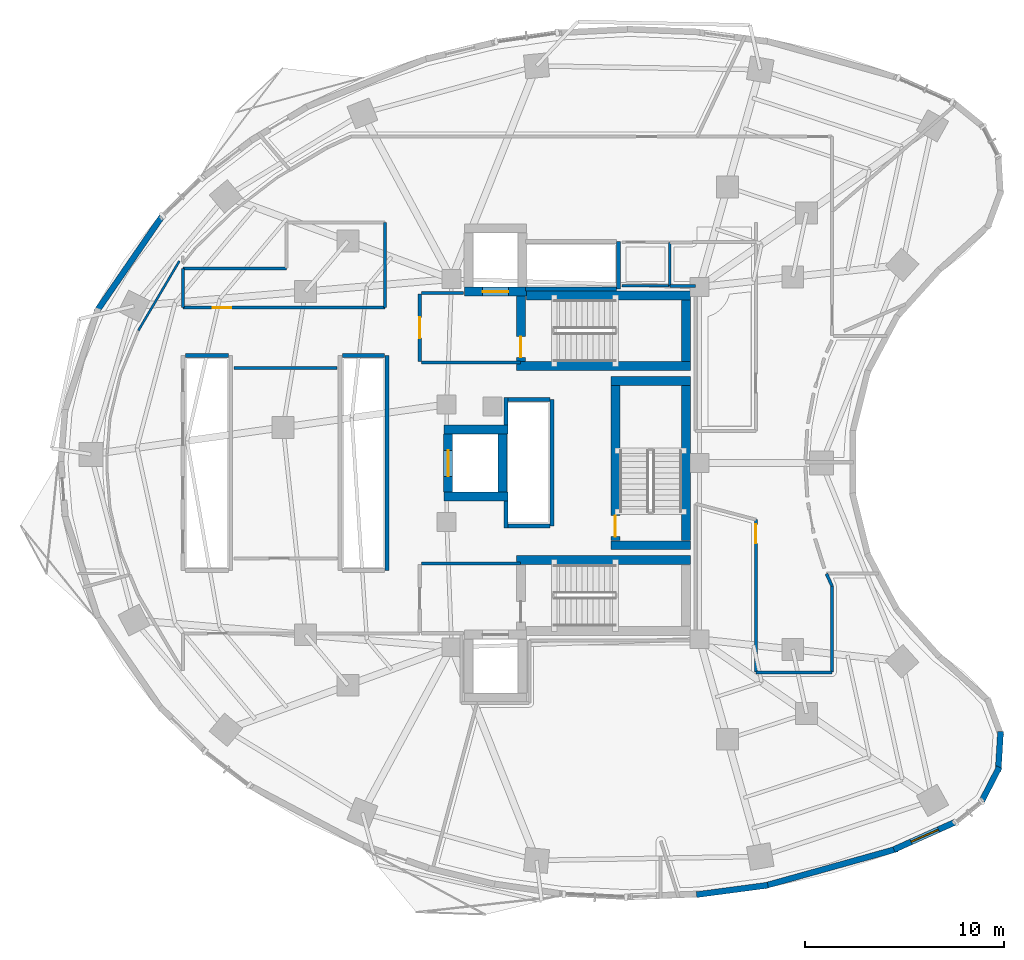
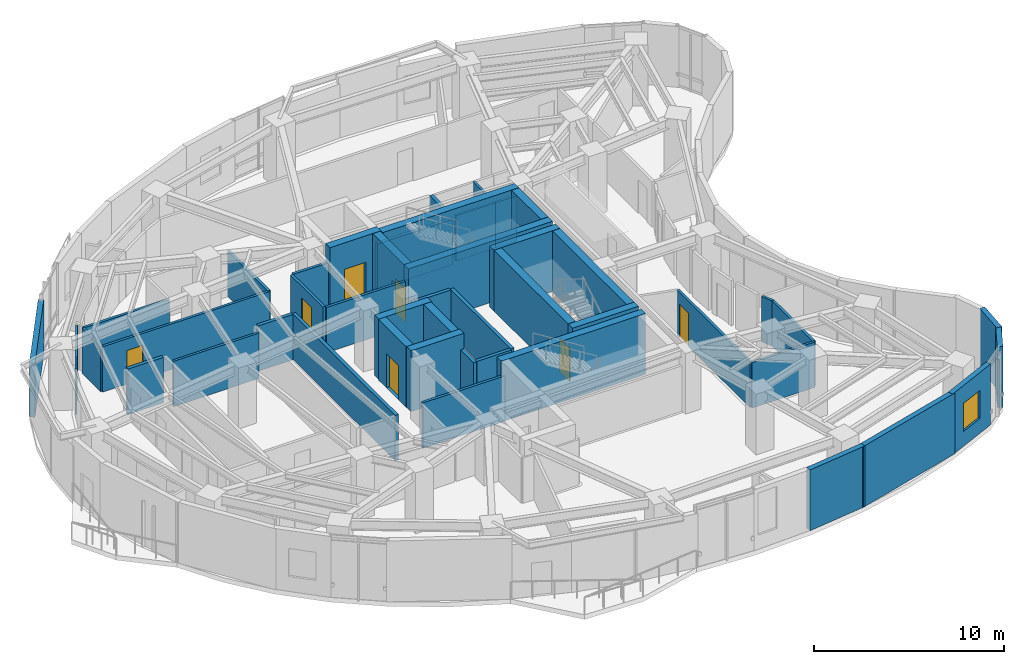
# One storey, part 8 of 13: 47 walls, 7 doors, 1 window, 8 openings.
"""IFC4 building model written with IfcOpenShell, lengths in metres."""

from ifc_helpers import new_model, si_unit, direction, frame, frame_2d, origin, place, context, subcontext, project, spatial, rectangle, extrude, material, layer, layer_set, type_object, element, fill, save


model = new_model("IFC4")

# Units and contexts
model_context = context("Model", 3, precision=1e-05, world=origin(), true_north=direction((0.0, 1.0)))
body_context = subcontext(model_context, "Body", "Model", "MODEL_VIEW")
ifc_project = project(units=[si_unit("LENGTHUNIT", "METRE"), si_unit("AREAUNIT", "SQUARE_METRE"), si_unit("VOLUMEUNIT", "CUBIC_METRE"), si_unit("PLANEANGLEUNIT", "RADIAN"), si_unit("MASSUNIT", "GRAM", prefix="KILO")], contexts=[model_context])

# Site, building, storey
site_placement = place(None, origin())
site = spatial("IfcSite", under=ifc_project, at=site_placement, CompositionType="ELEMENT")
building_placement = place(site_placement, origin())
building = spatial("IfcBuilding", under=site, at=building_placement, Name="Korentha Bioscience Tower", CompositionType="ELEMENT")
storey_placement = place(building_placement, frame((0.0, 0.0, 106.800048828125)))
storey = spatial("IfcBuildingStorey", under=building, at=storey_placement, Name="L24", CompositionType="ELEMENT", Elevation=106.800048828125)

# Wall, opening, door
ifc_material_1 = material(Name="Double-Stud Acoustic Gypsum", Category="gypsum")
ifc_layer_1 = layer(ifc_material_1, 0.14990234375, Name="Double-Stud Acoustic Gypsum")
ifc_layer_set_1 = layer_set([ifc_layer_1], Name="Double-Stud Acoustic Gypsum (IW-L150)")
wall_type_1 = type_object("IfcWallType", Name="Acoustic Laboratory Partition Wall 150", PredefinedType="PARTITIONING", material=ifc_layer_set_1)
wall_1_placement = place(storey_placement, frame((40.389892578125, 24.16064453125, 0.0), z_axis=(0.0, 0.0, 1.0), x_axis=(0.0, -1.0, 0.0)))
wall_1 = element("IfcWall", 1, at=wall_1_placement, inside=storey, type_object=wall_type_1, Name="L24 Staff Pantry Kitchenette 02 Entrance Wall", PredefinedType="PARTITIONING", context=body_context, shape_type="SweptSolid", body=[
    extrude(rectangle(XDim=7.66064453125, YDim=0.14990234375, at=frame_2d((3.830322265625, 0.0))), origin(), (0.0, 0.0, 1.0), 2.909912109375),
])
opening_1_placement = place(wall_1_placement, frame((0.239990234375, 0.0, 0.0)))
opening_1 = element("IfcOpeningElement", 2, at=opening_1_placement, cuts=wall_1, Name="Opening ID-10L", PredefinedType="OPENING", context=body_context, shape_type="SweptSolid", body=[
    extrude(rectangle(XDim=0.949951171875, YDim=2.14990234375, at=frame_2d((0.47509765625, 1.074951171875))), frame((0.0, 0.08984375, 0.0), z_axis=(0.0, -1.0, 0.0), x_axis=(1.0, 0.0, 0.0)), (0.0, 0.0, 1.0), 0.1796875),
])
ifc_material_2 = material(Name="Phenolic Laminate Timber Core", Category="wood")
door_type_1 = type_object("IfcDoorType", Name="Laboratory Single Leaf Door 950x2150 Left", OperationType="SINGLE_SWING_LEFT", PredefinedType="DOOR", material=ifc_material_2)
door_1_placement = place(opening_1_placement, origin())
door_1 = element("IfcDoor", 3, at=door_1_placement, inside=storey, type_object=door_type_1, Name="L24 Staff Pantry Kitchenette 02 Door", OperationType="SINGLE_SWING_LEFT", OverallHeight=2.14990234375, OverallWidth=0.949951171875, PredefinedType="DOOR", context=body_context, shape_type="SweptSolid", body=[
    extrude(rectangle(XDim=0.949951171875, YDim=2.14990234375, at=frame_2d((0.47509765625, 1.074951171875))), frame((0.0, 0.02490234375, 0.0), z_axis=(0.0, -1.0, 0.0), x_axis=(1.0, 0.0, 0.0)), (0.0, 0.0, 1.0), 0.050048828125),
])
fill(opening_1, door_1)

wall_2_placement = place(storey_placement, frame((21.739990234375, 34.81005859375, 0.0), z_axis=(0.0, 0.0, 1.0), x_axis=(-1.0, 0.0, 0.0)))
wall_2 = element("IfcWall", 4, at=wall_2_placement, inside=storey, type_object=wall_type_1, Name="L24 Computational Biology Open Studio 09 Entrance Wall", PredefinedType="PARTITIONING", context=body_context, shape_type="SweptSolid", body=[
    extrude(rectangle(XDim=10.14990234375, YDim=0.14990234375, at=frame_2d((5.074951171875, 0.0))), origin(), (0.0, 0.0, 1.0), 2.909912109375),
])
opening_2_placement = place(wall_2_placement, frame((7.705322265625, 0.0, 0.0)))
opening_2 = element("IfcOpeningElement", 5, at=opening_2_placement, cuts=wall_2, Name="Opening ID-10R", PredefinedType="OPENING", context=body_context, shape_type="SweptSolid", body=[
    extrude(rectangle(XDim=0.949951171875, YDim=2.14990234375, at=frame_2d((0.47509765625, 1.074951171875))), frame((0.0, 0.08984375, 0.0), z_axis=(0.0, -1.0, 0.0), x_axis=(1.0, 0.0, 0.0)), (0.0, 0.0, 1.0), 0.1796875),
])
door_type_2 = type_object("IfcDoorType", Name="Laboratory Single Leaf Door 950x2150 Right", OperationType="SINGLE_SWING_RIGHT", PredefinedType="DOOR", material=ifc_material_2)
door_2_placement = place(opening_2_placement, origin())
door_2 = element("IfcDoor", 6, at=door_2_placement, inside=storey, type_object=door_type_2, Name="L24 Computational Biology Open Studio 09 Door", OperationType="SINGLE_SWING_RIGHT", OverallHeight=2.14990234375, OverallWidth=0.949951171875, PredefinedType="DOOR", context=body_context, shape_type="SweptSolid", body=[
    extrude(rectangle(XDim=0.949951171875, YDim=2.14990234375, at=frame_2d((0.47509765625, 1.074951171875))), frame((0.0, 0.02490234375, 0.0), z_axis=(0.0, -1.0, 0.0), x_axis=(1.0, 0.0, 0.0)), (0.0, 0.0, 1.0), 0.050048828125),
])
fill(opening_2, door_2)

# Walls
wall_3_placement = place(storey_placement, frame((40.39990234375, 16.489990234375, 0.0), z_axis=(0.0, 0.0, 1.0), x_axis=(1.0, 0.0, 0.0)))
element("IfcWall", 7, at=wall_3_placement, inside=storey, type_object=wall_type_1, Name="L24 Interior Partition 026", PredefinedType="PARTITIONING", context=body_context, shape_type="SweptSolid", body=[
    extrude(rectangle(XDim=3.800048828125, YDim=0.14990234375, at=frame_2d((1.89990234375, 0.0))), origin(), (0.0, 0.0, 1.0), 2.909912109375),
])
wall_4_placement = place(storey_placement, frame((44.2099609375, 16.5, 0.0), z_axis=(0.0, 0.0, 1.0), x_axis=(0.0, 1.0, 0.0)))
element("IfcWall", 8, at=wall_4_placement, inside=storey, type_object=wall_type_1, Name="L24 Interior Partition 027", PredefinedType="PARTITIONING", context=body_context, shape_type="SweptSolid", body=[
    extrude(rectangle(XDim=4.324951171875, YDim=0.14990234375, at=frame_2d((2.16259765625, 0.0))), origin(), (0.0, 0.0, 1.0), 2.909912109375),
])
wall_5_placement = place(storey_placement, frame((44.208984375, 20.8291015625, 0.0), z_axis=(0.0, 0.0, 1.0), x_axis=(-0.414377467152, 0.910105111905, 0.0)))
element("IfcWall", 9, at=wall_5_placement, inside=storey, type_object=wall_type_1, Name="L24 Interior Partition 028", PredefinedType="PARTITIONING", context=body_context, shape_type="SweptSolid", body=[
    extrude(rectangle(XDim=0.67236328125, YDim=0.14990234375, at=frame_2d((0.336181640625, 0.0))), origin(), (0.0, 0.0, 1.0), 2.909912109375),
])
wall_6_placement = place(storey_placement, frame((37.35009765625, 35.909912109375, 0.0), z_axis=(0.0, 0.0, 1.0), x_axis=(-1.0, 0.0, 0.0)))
element("IfcWall", 10, at=wall_6_placement, inside=storey, type_object=wall_type_1, Name="L24 Interior Partition 042", PredefinedType="PARTITIONING", context=body_context, shape_type="SweptSolid", body=[
    extrude(rectangle(XDim=1.2900390625, YDim=0.14990234375, at=frame_2d((0.64501953125, 0.0))), origin(), (0.0, 0.0, 1.0), 2.909912109375),
])
wall_7_placement = place(storey_placement, frame((21.739990234375, 39.090087890625, 0.0), z_axis=(0.0, 0.0, 1.0), x_axis=(0.0, -1.0, 0.0)))
element("IfcWall", 11, at=wall_7_placement, inside=storey, type_object=wall_type_1, Name="L24 Interior Partition 055", PredefinedType="PARTITIONING", context=body_context, shape_type="SweptSolid", body=[
    extrude(rectangle(XDim=4.280029296875, YDim=0.14990234375, at=frame_2d((2.14013671875, 0.0))), origin(), (0.0, 0.0, 1.0), 2.909912109375),
])
wall_8_placement = place(storey_placement, frame((11.590087890625, 34.81005859375, 0.0), z_axis=(0.0, 0.0, 1.0), x_axis=(0.0, 1.0, 0.0)))
element("IfcWall", 12, at=wall_8_placement, inside=storey, type_object=wall_type_1, Name="L24 Interior Partition 056", PredefinedType="PARTITIONING", context=body_context, shape_type="SweptSolid", body=[
    extrude(rectangle(XDim=1.97998046875, YDim=0.14990234375, at=frame_2d((0.989990234375, 0.0))), origin(), (0.0, 0.0, 1.0), 2.909912109375),
])
wall_9_placement = place(storey_placement, frame((11.590087890625, 36.7900390625, 0.0), z_axis=(0.0, 0.0, 1.0), x_axis=(1.0, 0.0, 0.0)))
element("IfcWall", 13, at=wall_9_placement, inside=storey, type_object=wall_type_1, Name="L24 Interior Partition 057", PredefinedType="PARTITIONING", context=body_context, shape_type="SweptSolid", body=[
    extrude(rectangle(XDim=5.2099609375, YDim=0.14990234375, at=frame_2d((2.60498046875, 0.0))), origin(), (0.0, 0.0, 1.0), 2.909912109375),
])
wall_10_placement = place(storey_placement, frame((14.159912109375, 31.7900390625, 0.0), z_axis=(0.0, 0.0, 1.0), x_axis=(1.0, 0.0, 0.0)))
element("IfcWall", 14, at=wall_10_placement, inside=storey, type_object=wall_type_1, Name="L24 Interior Partition 071", PredefinedType="PARTITIONING", context=body_context, shape_type="SweptSolid", body=[
    extrude(rectangle(XDim=5.18017578125, YDim=0.14990234375, at=frame_2d((2.590087890625, 0.0))), origin(), (0.0, 0.0, 1.0), 2.909912109375),
])
ifc_material_3 = material(Name="Fire-Rated Framed Glass", Category="glass")
ifc_layer_2 = layer(ifc_material_3, 0.110107421875, Name="Fire-Rated Framed Glass")
ifc_layer_set_2 = layer_set([ifc_layer_2], Name="Fire-Rated Framed Glass (IW-G110)")
wall_type_2 = type_object("IfcWallType", Name="Demountable Glazed Office Partition 110", PredefinedType="MOVABLE", material=ifc_layer_set_2)
wall_11_placement = place(storey_placement, frame((11.418701171875, 37.154296875, 0.0), z_axis=(0.0, 0.0, 1.0), x_axis=(-0.508183269016, -0.861248956511, 0.0)))
element("IfcWall", 15, at=wall_11_placement, inside=storey, type_object=wall_type_2, Name="L24 Interior Partition 063", PredefinedType="MOVABLE", context=body_context, shape_type="SweptSolid", body=[
    extrude(rectangle(XDim=4.052734375, YDim=0.110107421875, at=frame_2d((2.0263671875, 0.0))), origin(), (0.0, 0.0, 1.0), 2.909912109375),
])

# Wall, opening, door
ifc_material_4 = material(Name="Gypsum-Clad Steel Stud", Category="steel")
ifc_layer_3 = layer(ifc_material_4, 0.159912109375, Name="Gypsum-Clad Steel Stud")
ifc_layer_set_3 = layer_set([ifc_layer_3], Name="Gypsum-Clad Steel Stud (IW-C160)")
wall_type_3 = type_object("IfcWallType", Name="Fire-Rated Corridor Partition Wall 160", PredefinedType="PARTITIONING", material=ifc_layer_set_3)
wall_12_placement = place(storey_placement, frame((23.5, 32.10009765625, 0.0), z_axis=(0.0, 0.0, 1.0), x_axis=(0.0, 1.0, 0.0)))
wall_12 = element("IfcWall", 16, at=wall_12_placement, inside=storey, type_object=wall_type_3, Name="L24 FFLN-CW Rated Enclosure Wall", PredefinedType="PARTITIONING", context=body_context, shape_type="SweptSolid", body=[
    extrude(rectangle(XDim=3.39990234375, YDim=0.159912109375, at=frame_2d((1.699951171875, 0.0))), origin(), (0.0, 0.0, 1.0), 2.909912109375),
])
opening_3_placement = place(wall_12_placement, frame((1.175048828125, 0.0, 0.0)))
opening_3 = element("IfcOpeningElement", 17, at=opening_3_placement, cuts=wall_12, Name="Opening FD-90L", PredefinedType="OPENING", context=body_context, shape_type="SweptSolid", body=[
    extrude(rectangle(XDim=1.050048828125, YDim=2.14990234375, at=frame_2d((0.52490234375, 1.074951171875))), frame((0.0, 0.0947265625, 0.0), z_axis=(0.0, -1.0, 0.0), x_axis=(1.0, 0.0, 0.0)), (0.0, 0.0, 1.0), 0.189697265625),
])
ifc_material_5 = material(Name="Powder-Coated Fire-Rated Steel", Category="steel")
door_type_3 = type_object("IfcDoorType", Name="Stairwell Fire Exit Door 1050x2150 Left", OperationType="SINGLE_SWING_LEFT", PredefinedType="DOOR", material=ifc_material_5)
door_3_placement = place(opening_3_placement, origin())
door_3 = element("IfcDoor", 18, at=door_3_placement, inside=storey, type_object=door_type_3, Name="L24 North Firefighting Lobby Door", OperationType="SINGLE_SWING_LEFT", OverallHeight=2.14990234375, OverallWidth=1.050048828125, PredefinedType="DOOR", context=body_context, shape_type="SweptSolid", body=[
    extrude(rectangle(XDim=1.050048828125, YDim=2.14990234375, at=frame_2d((0.52490234375, 1.074951171875))), frame((0.0, 0.02490234375, 0.0), z_axis=(0.0, -1.0, 0.0), x_axis=(1.0, 0.0, 0.0)), (0.0, 0.0, 1.0), 0.050048828125),
])
fill(opening_3, door_3)

# Walls
wall_13_placement = place(storey_placement, frame((23.580078125, 32.050048828125, 0.0), z_axis=(0.0, 0.0, 1.0), x_axis=(1.0, 0.0, 0.0)))
element("IfcWall", 19, at=wall_13_placement, inside=storey, type_object=wall_type_3, Name="L24 Firefighting Lobby Return Wall FFLN-S", PredefinedType="PARTITIONING", context=body_context, shape_type="SweptSolid", body=[
    extrude(rectangle(XDim=4.969970703125, YDim=0.159912109375, at=frame_2d((2.48486328125, 0.0))), origin(), (0.0, 0.0, 1.0), 2.909912109375),
])
wall_14_placement = place(storey_placement, frame((23.580078125, 35.550048828125, 0.0), z_axis=(0.0, 0.0, 1.0), x_axis=(1.0, 0.0, 0.0)))
element("IfcWall", 20, at=wall_14_placement, inside=storey, type_object=wall_type_3, Name="L24 Firefighting Lobby Return Wall FFLN-N", PredefinedType="PARTITIONING", context=body_context, shape_type="SweptSolid", body=[
    extrude(rectangle(XDim=2.119873046875, YDim=0.159912109375, at=frame_2d((1.06005859375, 0.0))), origin(), (0.0, 0.0, 1.0), 2.909912109375),
])
wall_15_placement = place(storey_placement, frame((23.580078125, 21.949951171875, 0.0), z_axis=(0.0, 0.0, 1.0), x_axis=(1.0, 0.0, 0.0)))
element("IfcWall", 21, at=wall_15_placement, inside=storey, type_object=wall_type_3, Name="L24 Firefighting Lobby Return Wall FFLS-N", PredefinedType="PARTITIONING", context=body_context, shape_type="SweptSolid", body=[
    extrude(rectangle(XDim=4.969970703125, YDim=0.159912109375, at=frame_2d((2.48486328125, 0.0))), origin(), (0.0, 0.0, 1.0), 2.909912109375),
])

# Wall, opening, window
ifc_material_6 = material(Name="Honed Limestone Precast Concrete C40", Category="masonry")
ifc_layer_4 = layer(ifc_material_6, 0.300048828125, Name="Honed Limestone Precast Concrete C40")
ifc_layer_set_4 = layer_set([ifc_layer_4], Name="Honed Limestone Precast Concrete C40 (EW-ST300)")
wall_type_4 = type_object("IfcWallType", Name="Honed Limestone Cavity Spandrel Wall 300", PredefinedType="STANDARD", material=ifc_layer_set_4)
wall_16_placement = place(storey_placement, frame((47.3193359375, 7.5849609375, 0.0), z_axis=(0.0, 0.0, 1.0), x_axis=(0.912680179498, 0.40867455261, 0.0)))
wall_16 = element("IfcWall", 22, at=wall_16_placement, inside=storey, type_object=wall_type_4, Name="L24 Honed Limestone Spandrel Wall 36", PredefinedType="STANDARD", context=body_context, shape_type="SweptSolid", body=[
    extrude(rectangle(XDim=3.40087890625, YDim=0.300048828125, at=frame_2d((1.700439453125, 0.0))), origin(), (0.0, 0.0, 1.0), 3.89990234375),
])
opening_4_placement = place(wall_16_placement, frame((0.950439453125, 0.0, 0.949951171875)))
opening_4 = element("IfcOpeningElement", 23, at=opening_4_placement, cuts=wall_16, Name="Opening WN-02", PredefinedType="OPENING", context=body_context, shape_type="SweptSolid", body=[
    extrude(rectangle(XDim=1.5, YDim=1.800048828125, at=frame_2d((0.75, 0.89990234375))), frame((0.0, 0.1650390625, 0.0), z_axis=(0.0, -1.0, 0.0), x_axis=(1.0, 0.0, 0.0)), (0.0, 0.0, 1.0), 0.329833984375),
])
ifc_material_7 = material(Name="Thermally Broken Aluminium Triple Glazing", Category="aluminium")
window_type = type_object("IfcWindowType", Name="Acoustic Operable Office Window 1500x1800", PartitioningType="DOUBLE_PANEL_VERTICAL", PredefinedType="WINDOW", material=ifc_material_7)
window_placement = place(opening_4_placement, origin())
window = element("IfcWindow", 24, at=window_placement, inside=storey, type_object=window_type, Name="L24 Facade Window 36", OverallHeight=1.800048828125, OverallWidth=1.5, PartitioningType="DOUBLE_PANEL_VERTICAL", PredefinedType="WINDOW", context=body_context, shape_type="SweptSolid", body=[
    extrude(rectangle(XDim=1.5, YDim=1.800048828125, at=frame_2d((0.75, 0.89990234375))), frame((0.0, 0.030029296875, 0.0), z_axis=(0.0, -1.0, 0.0), x_axis=(1.0, 0.0, 0.0)), (0.0, 0.0, 1.0), 0.06005859375),
])
fill(opening_4, window)

# Walls
wall_17_placement = place(storey_placement, frame((10.54833984375, 39.400390625, 0.0), z_axis=(0.0, 0.0, 1.0), x_axis=(-0.566825798999, -0.823837674296, 0.0)))
element("IfcWall", 25, at=wall_17_placement, inside=storey, type_object=wall_type_4, Name="L24 Limestone Perimeter Closure Wall 14", PredefinedType="STANDARD", context=body_context, shape_type="SweptSolid", body=[
    extrude(rectangle(XDim=5.825927734375, YDim=0.300048828125, at=frame_2d((2.9130859375, 0.0))), origin(), (0.0, 0.0, 1.0), 3.469970703125),
])
wall_18_placement = place(storey_placement, frame((37.40234375, 5.319091796875, 0.0), z_axis=(0.0, 0.0, 1.0), x_axis=(0.991372969521, 0.131071107816, 0.0)))
element("IfcWall", 26, at=wall_18_placement, inside=storey, type_object=wall_type_4, Name="L24 Limestone Perimeter Closure Wall 33", PredefinedType="STANDARD", context=body_context, shape_type="SweptSolid", body=[
    extrude(rectangle(XDim=3.615478515625, YDim=0.300048828125, at=frame_2d((1.8076171875, 0.0))), origin(), (0.0, 0.0, 1.0), 3.89990234375),
])
wall_19_placement = place(storey_placement, frame((40.810791015625, 5.7568359375, 0.0), z_axis=(0.0, 0.0, 1.0), x_axis=(0.963116215402, 0.269085777459, 0.0)))
element("IfcWall", 27, at=wall_19_placement, inside=storey, type_object=wall_type_4, Name="L24 Limestone Perimeter Closure Wall 34", PredefinedType="STANDARD", context=body_context, shape_type="SweptSolid", body=[
    extrude(rectangle(XDim=6.923583984375, YDim=0.300048828125, at=frame_2d((3.4619140625, 0.0))), origin(), (0.0, 0.0, 1.0), 3.89990234375),
])
for number, where, z_axis, x_axis, name in (
    (28, (51.701171875, 9.953125, 0.0), (0.0, 0.0, 1.0), (0.457596540329, 0.889159944149, 0.0), "L24 Limestone Perimeter Closure Wall 38"),
    (29, (52.55859375, 11.522705078125, 0.0), (0.0, 0.0, 1.0), (0.060255200356, 0.998183004679, 0.0), "L24 Limestone Perimeter Closure Wall 39"),
):
    element("IfcWall", number, at=place(storey_placement, frame(where, z_axis=z_axis, x_axis=x_axis)), inside=storey, type_object=wall_type_4, Name=name, PredefinedType="STANDARD", context=body_context, shape_type="SweptSolid", body=[
        extrude(rectangle(XDim=1.99755859375, YDim=0.300048828125, at=frame_2d((0.998779296875, 0.0))), origin(), (0.0, 0.0, 1.0), 3.89990234375),
    ])
ifc_material_8 = material(Name="Autoclaved Aerated Concrete Block C25", Category="concrete")
ifc_layer_5 = layer(ifc_material_8, 0.199951171875, Name="Autoclaved Aerated Concrete Block C25")
ifc_layer_set_5 = layer_set([ifc_layer_5], Name="Autoclaved Aerated Concrete Block C25 (IW-S200)")
wall_type_5 = type_object("IfcWallType", Name="Lift and Riser Shaft Enclosure Wall 200", PredefinedType="PARTITIONING", material=ifc_layer_set_5)
wall_20_placement = place(storey_placement, frame((11.719970703125, 32.39990234375, 0.0), z_axis=(0.0, 0.0, 1.0), x_axis=(1.0, 0.0, 0.0)))
element("IfcWall", 30, at=wall_20_placement, inside=storey, type_object=wall_type_5, Name="L24 Lift Bank LOW Shaft Wall +Y", PredefinedType="PARTITIONING", context=body_context, shape_type="SweptSolid", body=[
    extrude(rectangle(XDim=2.159912109375, YDim=0.199951171875, at=frame_2d((1.080078125, 0.0))), origin(), (0.0, 0.0, 1.0), 2.909912109375),
])
wall_21_placement = place(storey_placement, frame((21.85009765625, 21.60009765625, 0.0), z_axis=(0.0, 0.0, 1.0), x_axis=(0.0, 1.0, 0.0)))
element("IfcWall", 31, at=wall_21_placement, inside=storey, type_object=wall_type_5, Name="L24 Lift Bank MID Shaft Wall +X", PredefinedType="PARTITIONING", context=body_context, shape_type="SweptSolid", body=[
    extrude(rectangle(XDim=10.7998046875, YDim=0.199951171875, at=frame_2d((5.39990234375, 0.0))), origin(), (0.0, 0.0, 1.0), 2.909912109375),
])
wall_22_placement = place(storey_placement, frame((19.6201171875, 32.39990234375, 0.0), z_axis=(0.0, 0.0, 1.0), x_axis=(1.0, 0.0, 0.0)))
element("IfcWall", 32, at=wall_22_placement, inside=storey, type_object=wall_type_5, Name="L24 Lift Bank MID Shaft Wall +Y", PredefinedType="PARTITIONING", context=body_context, shape_type="SweptSolid", body=[
    extrude(rectangle(XDim=2.10986328125, YDim=0.199951171875, at=frame_2d((1.054931640625, 0.0))), origin(), (0.0, 0.0, 1.0), 2.909912109375),
])
wall_23_placement = place(storey_placement, frame((27.830078125, 23.75, 0.0), z_axis=(0.0, 0.0, 1.0), x_axis=(0.0, 1.0, 0.0)))
element("IfcWall", 33, at=wall_23_placement, inside=storey, type_object=wall_type_5, Name="L24 Lift Bank HIGH Shaft Wall -XS", PredefinedType="PARTITIONING", context=body_context, shape_type="SweptSolid", body=[
    extrude(rectangle(XDim=1.341064453125, YDim=0.199951171875, at=frame_2d((0.67041015625, 0.0))), origin(), (0.0, 0.0, 1.0), 2.909912109375),
])
wall_24_placement = place(storey_placement, frame((27.830078125, 28.908935546875, 0.0), z_axis=(0.0, 0.0, 1.0), x_axis=(0.0, 1.0, 0.0)))
element("IfcWall", 34, at=wall_24_placement, inside=storey, type_object=wall_type_5, Name="L24 Lift Bank HIGH Shaft Wall -XN", PredefinedType="PARTITIONING", context=body_context, shape_type="SweptSolid", body=[
    extrude(rectangle(XDim=1.39111328125, YDim=0.199951171875, at=frame_2d((0.695556640625, 0.0))), origin(), (0.0, 0.0, 1.0), 2.909912109375),
])
wall_25_placement = place(storey_placement, frame((30.14990234375, 23.85009765625, 0.0), z_axis=(0.0, 0.0, 1.0), x_axis=(0.0, 1.0, 0.0)))
element("IfcWall", 35, at=wall_25_placement, inside=storey, type_object=wall_type_5, Name="L24 Lift Bank HIGH Shaft Wall +X", PredefinedType="PARTITIONING", context=body_context, shape_type="SweptSolid", body=[
    extrude(rectangle(XDim=6.349853515625, YDim=0.199951171875, at=frame_2d((3.1748046875, 0.0))), origin(), (0.0, 0.0, 1.0), 2.909912109375),
])
for number, where, z_axis, x_axis, name in (
    (36, (27.93408203125, 23.85009765625, 0.0), (0.0, 0.0, 1.0), (1.0, 0.0, 0.0), "L24 Lift Bank HIGH Shaft Wall -Y"),
    (37, (27.93408203125, 30.199951171875, 0.0), (0.0, 0.0, 1.0), (1.0, 0.0, 0.0), "L24 Lift Bank HIGH Shaft Wall +Y"),
):
    element("IfcWall", number, at=place(storey_placement, frame(where, z_axis=z_axis, x_axis=x_axis)), inside=storey, type_object=wall_type_5, Name=name, PredefinedType="PARTITIONING", context=body_context, shape_type="SweptSolid", body=[
        extrude(rectangle(XDim=2.095947265625, YDim=0.199951171875, at=frame_2d((1.0478515625, 0.0))), origin(), (0.0, 0.0, 1.0), 2.909912109375),
    ])
wall_26_placement = place(storey_placement, frame((33.489990234375, 35.760009765625, 0.0), z_axis=(0.0, 0.0, 1.0), x_axis=(0.0, 1.0, 0.0)))
element("IfcWall", 38, at=wall_26_placement, inside=storey, type_object=wall_type_5, Name="L24 Lift Bank OBS Shaft Wall +X", PredefinedType="PARTITIONING", context=body_context, shape_type="SweptSolid", body=[
    extrude(rectangle(XDim=2.3798828125, YDim=0.199951171875, at=frame_2d((1.18994140625, 0.0))), origin(), (0.0, 0.0, 1.0), 2.909912109375),
])
wall_27_placement = place(storey_placement, frame((28.800048828125, 35.760009765625, 0.0), z_axis=(0.0, 0.0, 1.0), x_axis=(1.0, 0.0, 0.0)))
element("IfcWall", 39, at=wall_27_placement, inside=storey, type_object=wall_type_5, Name="L24 Lift Bank OBS Shaft Wall -Y", PredefinedType="PARTITIONING", context=body_context, shape_type="SweptSolid", body=[
    extrude(rectangle(XDim=4.570068359375, YDim=0.199951171875, at=frame_2d((2.28515625, 0.0))), origin(), (0.0, 0.0, 1.0), 2.909912109375),
])
ifc_material_9 = material(Name="Concrete C80", Category="concrete")
ifc_layer_6 = layer(ifc_material_9, 0.449951171875, Name="Concrete C80")
ifc_layer_set_6 = layer_set([ifc_layer_6], Name="Concrete C80 (CW-C80)")
wall_type_6 = type_object("IfcWallType", Name="Lower Core Shear Wall 450", PredefinedType="SHEAR", material=ifc_layer_set_6)
wall_28_placement = place(storey_placement, frame((28.85205078125, 35.425048828125, 0.0), z_axis=(0.0, 0.0, 1.0), x_axis=(1.0, 0.0, 0.0)))
element("IfcWall", 40, at=wall_28_placement, inside=storey, type_object=wall_type_6, Name="L24 Core Shear Wall ST1-N", PredefinedType="SHEAR", context=body_context, shape_type="SweptSolid", body=[
    extrude(rectangle(XDim=8.248046875, YDim=0.449951171875, at=frame_2d((4.1240234375, 0.0))), origin(), (0.0, 0.0, 1.0), 3.89990234375),
])
wall_29_placement = place(storey_placement, frame((28.35009765625, 31.875, 0.0), z_axis=(0.0, 0.0, 1.0), x_axis=(1.0, 0.0, 0.0)))
element("IfcWall", 41, at=wall_29_placement, inside=storey, type_object=wall_type_6, Name="L24 Core Shear Wall ST1-S", PredefinedType="SHEAR", context=body_context, shape_type="SweptSolid", body=[
    extrude(rectangle(XDim=8.75, YDim=0.449951171875, at=frame_2d((4.375, 0.0))), origin(), (0.0, 0.0, 1.0), 3.89990234375),
])
wall_30_placement = place(storey_placement, frame((36.875, 32.110107421875, 0.0), z_axis=(0.0, 0.0, 1.0), x_axis=(0.0, 1.0, 0.0)))
element("IfcWall", 42, at=wall_30_placement, inside=storey, type_object=wall_type_6, Name="L24 Core Shear Wall ST1-E", PredefinedType="SHEAR", context=body_context, shape_type="SweptSolid", body=[
    extrude(rectangle(XDim=3.079833984375, YDim=0.449951171875, at=frame_2d((1.5400390625, 0.0))), origin(), (0.0, 0.0, 1.0), 3.89990234375),
])

# Wall, opening, door
wall_31_placement = place(storey_placement, frame((28.574951171875, 32.110107421875, 0.0), z_axis=(0.0, 0.0, 1.0), x_axis=(0.0, 1.0, 0.0)))
wall_31 = element("IfcWall", 43, at=wall_31_placement, inside=storey, type_object=wall_type_6, Name="L24 Core Shear Wall ST1-W", PredefinedType="SHEAR", context=body_context, shape_type="SweptSolid", body=[
    extrude(rectangle(XDim=3.282958984375, YDim=0.449951171875, at=frame_2d((1.6416015625, 0.0))), origin(), (0.0, 0.0, 1.0), 3.89990234375),
])
opening_5_placement = place(wall_31_placement, frame((0.199951171875, 0.0, 0.0)))
opening_5 = element("IfcOpeningElement", 44, at=opening_5_placement, cuts=wall_31, Name="Opening FD-90L", PredefinedType="OPENING", context=body_context, shape_type="SweptSolid", body=[
    extrude(rectangle(XDim=1.050048828125, YDim=2.14990234375, at=frame_2d((0.52490234375, 1.074951171875))), frame((0.0, 0.23974609375, 0.0), z_axis=(0.0, -1.0, 0.0), x_axis=(1.0, 0.0, 0.0)), (0.0, 0.0, 1.0), 0.479736328125),
])
door_4_placement = place(opening_5_placement, origin())
door_4 = element("IfcDoor", 45, at=door_4_placement, inside=storey, type_object=door_type_3, Name="L24 ST-1 Fire Exit Stair Door", OperationType="SINGLE_SWING_LEFT", OverallHeight=2.14990234375, OverallWidth=1.050048828125, PredefinedType="DOOR", context=body_context, shape_type="SweptSolid", body=[
    extrude(rectangle(XDim=1.050048828125, YDim=2.14990234375, at=frame_2d((0.52490234375, 1.074951171875))), frame((0.0, 0.02490234375, 0.0), z_axis=(0.0, -1.0, 0.0), x_axis=(1.0, 0.0, 0.0)), (0.0, 0.0, 1.0), 0.050048828125),
])
fill(opening_5, door_4)

# Walls
wall_32_placement = place(storey_placement, frame((28.35009765625, 22.125, 0.0), z_axis=(0.0, 0.0, 1.0), x_axis=(1.0, 0.0, 0.0)))
element("IfcWall", 46, at=wall_32_placement, inside=storey, type_object=wall_type_6, Name="L24 Core Shear Wall ST2-N", PredefinedType="SHEAR", context=body_context, shape_type="SweptSolid", body=[
    extrude(rectangle(XDim=8.75, YDim=0.449951171875, at=frame_2d((4.375, 0.0))), origin(), (0.0, 0.0, 1.0), 3.89990234375),
])
for number, where, z_axis, x_axis, name in (
    (47, (33.10009765625, 31.125, 0.0), (0.0, 0.0, 1.0), (1.0, 0.0, 0.0), "L24 Core Shear Wall ST3-N"),
    (48, (33.10009765625, 22.875, 0.0), (0.0, 0.0, 1.0), (1.0, 0.0, 0.0), "L24 Core Shear Wall ST3-S"),
):
    element("IfcWall", number, at=place(storey_placement, frame(where, z_axis=z_axis, x_axis=x_axis)), inside=storey, type_object=wall_type_6, Name=name, PredefinedType="SHEAR", context=body_context, shape_type="SweptSolid", body=[
        extrude(rectangle(XDim=4.0, YDim=0.449951171875, at=frame_2d((2.0, 0.0))), origin(), (0.0, 0.0, 1.0), 3.89990234375),
    ])
wall_33_placement = place(storey_placement, frame((36.875, 23.110107421875, 0.0), z_axis=(0.0, 0.0, 1.0), x_axis=(0.0, 1.0, 0.0)))
element("IfcWall", 49, at=wall_33_placement, inside=storey, type_object=wall_type_6, Name="L24 Core Shear Wall ST3-E", PredefinedType="SHEAR", context=body_context, shape_type="SweptSolid", body=[
    extrude(rectangle(XDim=7.77978515625, YDim=0.449951171875, at=frame_2d((3.889892578125, 0.0))), origin(), (0.0, 0.0, 1.0), 3.89990234375),
])

# Wall, opening, door
wall_34_placement = place(storey_placement, frame((33.324951171875, 23.110107421875, 0.0), z_axis=(0.0, 0.0, 1.0), x_axis=(0.0, 1.0, 0.0)))
wall_34 = element("IfcWall", 50, at=wall_34_placement, inside=storey, type_object=wall_type_6, Name="L24 Core Shear Wall ST3-W", PredefinedType="SHEAR", context=body_context, shape_type="SweptSolid", body=[
    extrude(rectangle(XDim=7.77978515625, YDim=0.449951171875, at=frame_2d((3.889892578125, 0.0))), origin(), (0.0, 0.0, 1.0), 3.89990234375),
])
opening_6_placement = place(wall_34_placement, frame((0.199951171875, 0.0, 0.0)))
opening_6 = element("IfcOpeningElement", 51, at=opening_6_placement, cuts=wall_34, Name="Opening FD-90L", PredefinedType="OPENING", context=body_context, shape_type="SweptSolid", body=[
    extrude(rectangle(XDim=1.050048828125, YDim=2.14990234375, at=frame_2d((0.52490234375, 1.074951171875))), frame((0.0, 0.23974609375, 0.0), z_axis=(0.0, -1.0, 0.0), x_axis=(1.0, 0.0, 0.0)), (0.0, 0.0, 1.0), 0.479736328125),
])
door_5_placement = place(opening_6_placement, origin())
door_5 = element("IfcDoor", 52, at=door_5_placement, inside=storey, type_object=door_type_3, Name="L24 ST-3 Fire Exit Stair Door", OperationType="SINGLE_SWING_LEFT", OverallHeight=2.14990234375, OverallWidth=1.050048828125, PredefinedType="DOOR", context=body_context, shape_type="SweptSolid", body=[
    extrude(rectangle(XDim=1.050048828125, YDim=2.14990234375, at=frame_2d((0.52490234375, 1.074951171875))), frame((0.0, 0.02490234375, 0.0), z_axis=(0.0, -1.0, 0.0), x_axis=(1.0, 0.0, 0.0)), (0.0, 0.0, 1.0), 0.050048828125),
])
fill(opening_6, door_5)

wall_35_placement = place(storey_placement, frame((25.75, 35.6201171875, 0.0), z_axis=(0.0, 0.0, 1.0), x_axis=(1.0, 0.0, 0.0)))
wall_35 = element("IfcWall", 53, at=wall_35_placement, inside=storey, type_object=wall_type_6, Name="L24 Core Shear Wall FFL2-S", PredefinedType="SHEAR", context=body_context, shape_type="SweptSolid", body=[
    extrude(rectangle(XDim=3.10009765625, YDim=0.449951171875, at=frame_2d((1.550048828125, 0.0))), origin(), (0.0, 0.0, 1.0), 3.89990234375),
])
opening_7_placement = place(wall_35_placement, frame((0.89990234375, 0.0, 0.0)))
opening_7 = element("IfcOpeningElement", 54, at=opening_7_placement, cuts=wall_35, Name="Opening LD-13", PredefinedType="OPENING", context=body_context, shape_type="SweptSolid", body=[
    extrude(rectangle(XDim=1.300048828125, YDim=2.199951171875, at=frame_2d((0.64990234375, 1.10009765625))), frame((0.0, 0.23974609375, 0.0), z_axis=(0.0, -1.0, 0.0), x_axis=(1.0, 0.0, 0.0)), (0.0, 0.0, 1.0), 0.479736328125),
])
ifc_material_10 = material(Name="Brushed Stainless Steel 316", Category="steel")
door_type_4 = type_object("IfcDoorType", Name="Service & Firefighting Lift Landing Door 1300x2300", OperationType="DOUBLE_DOOR_SLIDING", PredefinedType="DOOR", material=ifc_material_10)
door_6_placement = place(opening_7_placement, origin())
door_6 = element("IfcDoor", 55, at=door_6_placement, inside=storey, type_object=door_type_4, Name="L24 FFL-2 Sliding Lift Landing Door", OperationType="DOUBLE_DOOR_SLIDING", OverallHeight=2.199951171875, OverallWidth=1.300048828125, PredefinedType="DOOR", context=body_context, shape_type="SweptSolid", body=[
    extrude(rectangle(XDim=1.300048828125, YDim=2.199951171875, at=frame_2d((0.64990234375, 1.10009765625))), frame((0.0, 0.02490234375, 0.0), z_axis=(0.0, -1.0, 0.0), x_axis=(1.0, 0.0, 0.0)), (0.0, 0.0, 1.0), 0.050048828125),
])
fill(opening_7, door_6)

# Walls
for number, where, z_axis, x_axis, name in (
    (56, (24.719970703125, 28.679931640625, 0.0), (0.0, 0.0, 1.0), (1.0, 0.0, 0.0), "L24 Core Shear Wall SVL1-N"),
    (57, (24.719970703125, 25.320068359375, 0.0), (0.0, 0.0, 1.0), (1.0, 0.0, 0.0), "L24 Core Shear Wall SVL1-S"),
):
    element("IfcWall", number, at=place(storey_placement, frame(where, z_axis=z_axis, x_axis=x_axis)), inside=storey, type_object=wall_type_6, Name=name, PredefinedType="SHEAR", context=body_context, shape_type="SweptSolid", body=[
        extrude(rectangle(XDim=3.2099609375, YDim=0.449951171875, at=frame_2d((1.60498046875, 0.0))), origin(), (0.0, 0.0, 1.0), 3.89990234375),
    ])

# Wall, opening, door
wall_36_placement = place(storey_placement, frame((24.919921875, 25.547119140625, 0.0), z_axis=(0.0, 0.0, 1.0), x_axis=(0.0, 1.0, 0.0)))
wall_36 = element("IfcWall", 58, at=wall_36_placement, inside=storey, type_object=wall_type_6, Name="L24 Core Shear Wall SVL1-W", PredefinedType="SHEAR", context=body_context, shape_type="SweptSolid", body=[
    extrude(rectangle(XDim=2.90576171875, YDim=0.449951171875, at=frame_2d((1.452880859375, 0.0))), origin(), (0.0, 0.0, 1.0), 3.89990234375),
])
opening_8_placement = place(wall_36_placement, frame((0.7900390625, 0.0, 0.0)))
opening_8 = element("IfcOpeningElement", 59, at=opening_8_placement, cuts=wall_36, Name="Opening LD-13", PredefinedType="OPENING", context=body_context, shape_type="SweptSolid", body=[
    extrude(rectangle(XDim=1.300048828125, YDim=2.199951171875, at=frame_2d((0.64990234375, 1.10009765625))), frame((0.0, 0.23974609375, 0.0), z_axis=(0.0, -1.0, 0.0), x_axis=(1.0, 0.0, 0.0)), (0.0, 0.0, 1.0), 0.479736328125),
])
door_7_placement = place(opening_8_placement, origin())
door_7 = element("IfcDoor", 60, at=door_7_placement, inside=storey, type_object=door_type_4, Name="L24 SVL-1 Sliding Lift Landing Door", OperationType="DOUBLE_DOOR_SLIDING", OverallHeight=2.199951171875, OverallWidth=1.300048828125, PredefinedType="DOOR", context=body_context, shape_type="SweptSolid", body=[
    extrude(rectangle(XDim=1.300048828125, YDim=2.199951171875, at=frame_2d((0.64990234375, 1.10009765625))), frame((0.0, 0.02490234375, 0.0), z_axis=(0.0, -1.0, 0.0), x_axis=(1.0, 0.0, 0.0)), (0.0, 0.0, 1.0), 0.050048828125),
])
fill(opening_8, door_7)

# Walls
wall_37_placement = place(storey_placement, frame((27.64990234375, 25.547119140625, 0.0), z_axis=(0.0, 0.0, 1.0), x_axis=(0.0, 1.0, 0.0)))
element("IfcWall", 61, at=wall_37_placement, inside=storey, type_object=wall_type_6, Name="L24 Core Shear Wall SVL1-E", PredefinedType="SHEAR", context=body_context, shape_type="SweptSolid", body=[
    extrude(rectangle(XDim=2.90576171875, YDim=0.449951171875, at=frame_2d((1.452880859375, 0.0))), origin(), (0.0, 0.0, 1.0), 3.89990234375),
])
ifc_material_11 = material(Name="Cement-Board Steel Stud", Category="steel")
ifc_layer_7 = layer(ifc_material_11, 0.1298828125, Name="Cement-Board Steel Stud")
ifc_layer_set_7 = layer_set([ifc_layer_7], Name="Cement-Board Steel Stud (IW-W130)")
wall_type_7 = type_object("IfcWallType", Name="Wet-Area Moisture-Resistant Partition 130", PredefinedType="PARTITIONING", material=ifc_layer_set_7)
wall_38_placement = place(storey_placement, frame((36.050048828125, 35.909912109375, 0.0), z_axis=(0.0, 0.0, 1.0), x_axis=(-1.0, 0.0, 0.0)))
element("IfcWall", 62, at=wall_38_placement, inside=storey, type_object=wall_type_7, Name="L24 Interior Partition 013", PredefinedType="PARTITIONING", context=body_context, shape_type="SweptSolid", body=[
    extrude(rectangle(XDim=2.400146484375, YDim=0.1298828125, at=frame_2d((1.2001953125, 0.0))), origin(), (0.0, 0.0, 1.0), 2.909912109375),
])
wall_39_placement = place(storey_placement, frame((36.050048828125, 38.090087890625, 0.0), z_axis=(0.0, 0.0, 1.0), x_axis=(0.0, -1.0, 0.0)))
element("IfcWall", 63, at=wall_39_placement, inside=storey, type_object=wall_type_7, Name="L24 Interior Partition 014", PredefinedType="PARTITIONING", context=body_context, shape_type="SweptSolid", body=[
    extrude(rectangle(XDim=2.18017578125, YDim=0.1298828125, at=frame_2d((1.090087890625, 0.0))), origin(), (0.0, 0.0, 1.0), 2.909912109375),
])

save(model, "model.ifc")
